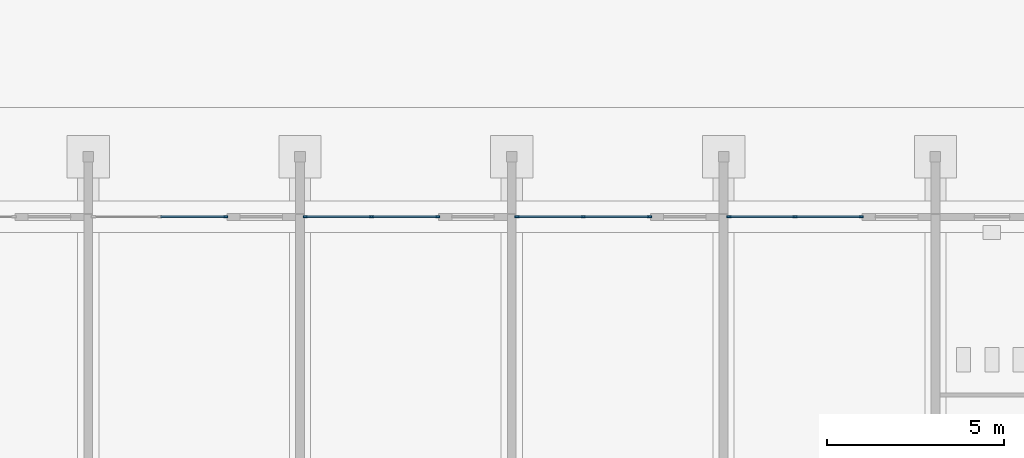
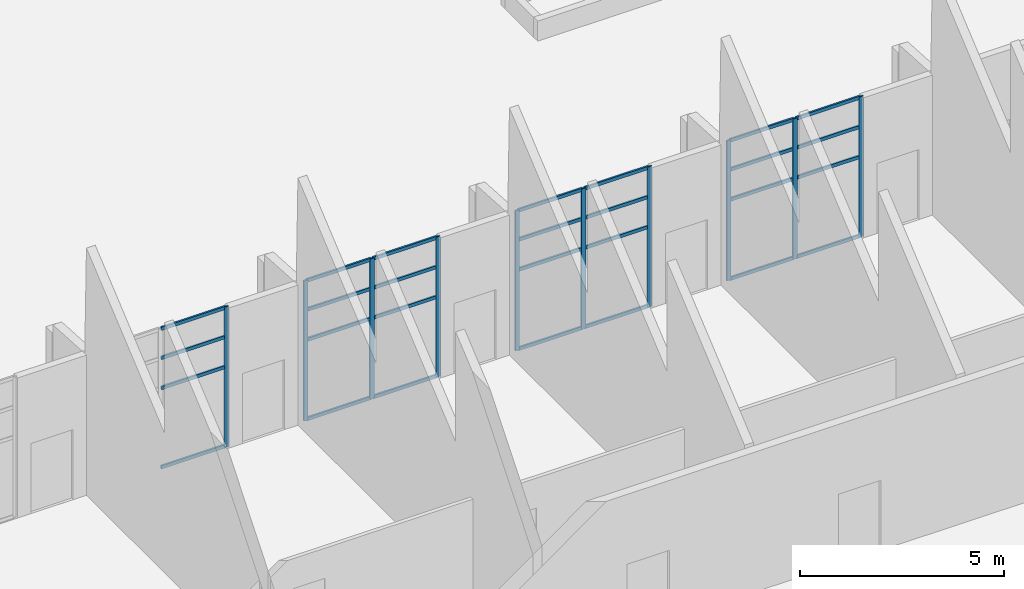
# One storey, part 24 of 112: 38 members, 4 elements without a shape of their own.
"""IFC4 building model written with IfcOpenShell, lengths in metres."""

from ifc_helpers import new_model, si_unit, direction, frame, origin, origin_2d, place, context, subcontext, project, spatial, rectangle, extrude, material, layer, layer_set, material_profile, profile_set, type_object, element, aggregate, save


model = new_model("IFC4")

# Units and contexts
model_context = context("Model", 3, precision=1e-05, world=origin(), true_north=direction((0.0, 1.0)))
body_context = subcontext(model_context, "Body", "Model", "MODEL_VIEW")
ifc_project = project(units=[si_unit("LENGTHUNIT", "METRE"), si_unit("AREAUNIT", "SQUARE_METRE"), si_unit("VOLUMEUNIT", "CUBIC_METRE"), si_unit("PLANEANGLEUNIT", "RADIAN"), si_unit("MASSUNIT", "GRAM", prefix="KILO")], contexts=[model_context])

# Site, building, storey
site_placement = place(None, origin())
site = spatial("IfcSite", under=ifc_project, at=site_placement, CompositionType="ELEMENT")
building_placement = place(site_placement, origin())
building = spatial("IfcBuilding", under=site, at=building_placement, Name="Ridgestep Commons", CompositionType="ELEMENT")
storey_placement = place(building_placement, origin())
storey = spatial("IfcBuildingStorey", under=building, at=storey_placement, Name="L00", CompositionType="ELEMENT", Elevation=0.0)

# Curtain wall, member
ifc_material_1 = material(Name="Aluminium and glass", Category="aluminium")
ifc_layer = layer(ifc_material_1, 0.14990234375)
ifc_layer_set = layer_set([ifc_layer], Name="Shopfront curtain wall")
curtain_wall_type = type_object("IfcCurtainWallType", Name="Shopfront curtain wall", PredefinedType="NOTDEFINED", material=ifc_layer_set)
curtain_wall_1_placement = place(storey_placement, origin())
curtain_wall_1 = element("IfcCurtainWall", 1, at=curtain_wall_1_placement, inside=storey, type_object=curtain_wall_type, Name="Shopfront curtain wall", PredefinedType="NOTDEFINED")
ifc_material_2 = material(Name="Aluminium", Category="aluminium")
ifc_material_profile_1 = material_profile(ifc_material_2, rectangle(XDim=0.050048828125, YDim=0.1201171875, at=origin_2d()), Name="Shopfront mullion 50 x 120")
ifc_profile_set_1 = profile_set([ifc_material_profile_1], Name="Aluminium")
member_type_1 = type_object("IfcMemberType", Name="Shopfront mullion 50 x 120", PredefinedType="MULLION", material=ifc_profile_set_1)
member_1_placement = place(storey_placement, frame((203.699951171875, 45.89990234375, 0.0), z_axis=(0.0, 0.0, 1.0), x_axis=(0.0, 1.0, 0.0)))
member_1 = element("IfcMember", 2, at=member_1_placement, type_object=member_type_1, Name="CW3 mullion 3", PredefinedType="MULLION", context=body_context, shape_type="SweptSolid", body=[
    extrude(rectangle(XDim=0.050048828125, YDim=0.1201171875, at=origin_2d()), origin(), (0.0, 0.0, 1.0), 4.199951171875),
])

# Curtain wall, members
curtain_wall_2_placement = place(storey_placement, origin())
curtain_wall_2 = element("IfcCurtainWall", 3, at=curtain_wall_2_placement, inside=storey, type_object=curtain_wall_type, Name="Shopfront curtain wall", PredefinedType="NOTDEFINED")
member_2_placement = place(storey_placement, frame((205.949951171875, 45.89990234375, 0.0), z_axis=(0.0, 0.0, 1.0), x_axis=(0.0, 1.0, 0.0)))
member_2 = element("IfcMember", 4, at=member_2_placement, type_object=member_type_1, Name="CW3 mullion 1", PredefinedType="MULLION", context=body_context, shape_type="SweptSolid", body=[
    extrude(rectangle(XDim=0.050048828125, YDim=0.1201171875, at=origin_2d()), origin(), (0.0, 0.0, 1.0), 4.199951171875),
])
member_3_placement = place(storey_placement, frame((207.824951171875, 45.89990234375, 0.0), z_axis=(0.0, 0.0, 1.0), x_axis=(0.0, 1.0, 0.0)))
member_3 = element("IfcMember", 5, at=member_3_placement, type_object=member_type_1, Name="CW3 mullion 2", PredefinedType="MULLION", context=body_context, shape_type="SweptSolid", body=[
    extrude(rectangle(XDim=0.050048828125, YDim=0.1201171875, at=origin_2d()), origin(), (0.0, 0.0, 1.0), 4.199951171875),
])
member_4_placement = place(storey_placement, frame((209.699951171875, 45.89990234375, 0.0), z_axis=(0.0, 0.0, 1.0), x_axis=(0.0, 1.0, 0.0)))
member_4 = element("IfcMember", 6, at=member_4_placement, type_object=member_type_1, Name="CW3 mullion 3", PredefinedType="MULLION", context=body_context, shape_type="SweptSolid", body=[
    extrude(rectangle(XDim=0.050048828125, YDim=0.1201171875, at=origin_2d()), origin(), (0.0, 0.0, 1.0), 4.199951171875),
])

curtain_wall_3_placement = place(storey_placement, origin())
curtain_wall_3 = element("IfcCurtainWall", 7, at=curtain_wall_3_placement, inside=storey, type_object=curtain_wall_type, Name="Shopfront curtain wall", PredefinedType="NOTDEFINED")
member_5_placement = place(storey_placement, frame((211.949951171875, 45.89990234375, 0.0), z_axis=(0.0, 0.0, 1.0), x_axis=(0.0, 1.0, 0.0)))
member_5 = element("IfcMember", 8, at=member_5_placement, type_object=member_type_1, Name="CW3 mullion 1", PredefinedType="MULLION", context=body_context, shape_type="SweptSolid", body=[
    extrude(rectangle(XDim=0.050048828125, YDim=0.1201171875, at=origin_2d()), origin(), (0.0, 0.0, 1.0), 4.199951171875),
])
member_6_placement = place(storey_placement, frame((213.824951171875, 45.89990234375, 0.0), z_axis=(0.0, 0.0, 1.0), x_axis=(0.0, 1.0, 0.0)))
member_6 = element("IfcMember", 9, at=member_6_placement, type_object=member_type_1, Name="CW3 mullion 2", PredefinedType="MULLION", context=body_context, shape_type="SweptSolid", body=[
    extrude(rectangle(XDim=0.050048828125, YDim=0.1201171875, at=origin_2d()), origin(), (0.0, 0.0, 1.0), 4.199951171875),
])
member_7_placement = place(storey_placement, frame((215.699951171875, 45.89990234375, 0.0), z_axis=(0.0, 0.0, 1.0), x_axis=(0.0, 1.0, 0.0)))
member_7 = element("IfcMember", 10, at=member_7_placement, type_object=member_type_1, Name="CW3 mullion 3", PredefinedType="MULLION", context=body_context, shape_type="SweptSolid", body=[
    extrude(rectangle(XDim=0.050048828125, YDim=0.1201171875, at=origin_2d()), origin(), (0.0, 0.0, 1.0), 4.199951171875),
])

curtain_wall_4_placement = place(storey_placement, origin())
curtain_wall_4 = element("IfcCurtainWall", 11, at=curtain_wall_4_placement, inside=storey, type_object=curtain_wall_type, Name="Shopfront curtain wall", PredefinedType="NOTDEFINED")
member_8_placement = place(storey_placement, frame((217.949951171875, 45.89990234375, 0.0), z_axis=(0.0, 0.0, 1.0), x_axis=(0.0, 1.0, 0.0)))
member_8 = element("IfcMember", 12, at=member_8_placement, type_object=member_type_1, Name="CW3 mullion 1", PredefinedType="MULLION", context=body_context, shape_type="SweptSolid", body=[
    extrude(rectangle(XDim=0.050048828125, YDim=0.1201171875, at=origin_2d()), origin(), (0.0, 0.0, 1.0), 4.199951171875),
])
member_9_placement = place(storey_placement, frame((219.824951171875, 45.89990234375, 0.0), z_axis=(0.0, 0.0, 1.0), x_axis=(0.0, 1.0, 0.0)))
member_9 = element("IfcMember", 13, at=member_9_placement, type_object=member_type_1, Name="CW3 mullion 2", PredefinedType="MULLION", context=body_context, shape_type="SweptSolid", body=[
    extrude(rectangle(XDim=0.050048828125, YDim=0.1201171875, at=origin_2d()), origin(), (0.0, 0.0, 1.0), 4.199951171875),
])
member_10_placement = place(storey_placement, frame((221.699951171875, 45.89990234375, 0.0), z_axis=(0.0, 0.0, 1.0), x_axis=(0.0, 1.0, 0.0)))
member_10 = element("IfcMember", 14, at=member_10_placement, type_object=member_type_1, Name="CW3 mullion 3", PredefinedType="MULLION", context=body_context, shape_type="SweptSolid", body=[
    extrude(rectangle(XDim=0.050048828125, YDim=0.1201171875, at=origin_2d()), origin(), (0.0, 0.0, 1.0), 4.199951171875),
])

# Member
ifc_material_3 = material(Name="Aluminium", Category="aluminium")
ifc_material_profile_2 = material_profile(ifc_material_3, rectangle(XDim=0.050048828125, YDim=0.10009765625, at=origin_2d()), Name="Shopfront transom 50 x 100")
ifc_profile_set_2 = profile_set([ifc_material_profile_2], Name="Aluminium")
member_type_2 = type_object("IfcMemberType", Name="Shopfront transom 50 x 100", PredefinedType="USERDEFINED", material=ifc_profile_set_2)
member_11_placement = place(storey_placement, frame((201.85009765625, 45.89990234375, 0.02490234375), z_axis=(1.0, 0.0, 0.0), x_axis=(0.0, 1.0, 0.0)))
member_11 = element("IfcMember", 15, at=member_11_placement, type_object=member_type_2, Name="CW3 transom 2.1", ObjectType="TRANSOM", PredefinedType="USERDEFINED", context=body_context, shape_type="SweptSolid", body=[
    extrude(rectangle(XDim=0.050048828125, YDim=0.10009765625, at=origin_2d()), origin(), (0.0, 0.0, 1.0), 1.824951171875),
])

member_12_placement = place(storey_placement, frame((201.85009765625, 45.89990234375, 2.39990234375), z_axis=(1.0, 0.0, 0.0), x_axis=(0.0, 1.0, 0.0)))
member_12 = element("IfcMember", 16, at=member_12_placement, type_object=member_type_2, Name="CW3 transom 2.2", ObjectType="TRANSOM", PredefinedType="USERDEFINED", context=body_context, shape_type="SweptSolid", body=[
    extrude(rectangle(XDim=0.050048828125, YDim=0.10009765625, at=origin_2d()), origin(), (0.0, 0.0, 1.0), 1.824951171875),
])

member_13_placement = place(storey_placement, frame((201.85009765625, 45.89990234375, 3.300048828125), z_axis=(1.0, 0.0, 0.0), x_axis=(0.0, 1.0, 0.0)))
member_13 = element("IfcMember", 17, at=member_13_placement, type_object=member_type_2, Name="CW3 transom 2.3", ObjectType="TRANSOM", PredefinedType="USERDEFINED", context=body_context, shape_type="SweptSolid", body=[
    extrude(rectangle(XDim=0.050048828125, YDim=0.10009765625, at=origin_2d()), origin(), (0.0, 0.0, 1.0), 1.824951171875),
])

member_14_placement = place(storey_placement, frame((201.85009765625, 45.89990234375, 4.175048828125), z_axis=(1.0, 0.0, 0.0), x_axis=(0.0, 1.0, 0.0)))
member_14 = element("IfcMember", 18, at=member_14_placement, type_object=member_type_2, Name="CW3 transom 2.4", ObjectType="TRANSOM", PredefinedType="USERDEFINED", context=body_context, shape_type="SweptSolid", body=[
    extrude(rectangle(XDim=0.050048828125, YDim=0.10009765625, at=origin_2d()), origin(), (0.0, 0.0, 1.0), 1.824951171875),
])

aggregate(curtain_wall_1, [member_1, member_11, member_12, member_13, member_14])

member_15_placement = place(storey_placement, frame((205.97509765625, 45.89990234375, 0.02490234375), z_axis=(1.0, 0.0, 0.0), x_axis=(0.0, 1.0, 0.0)))
member_15 = element("IfcMember", 19, at=member_15_placement, type_object=member_type_2, Name="CW3 transom 1.1", ObjectType="TRANSOM", PredefinedType="USERDEFINED", context=body_context, shape_type="SweptSolid", body=[
    extrude(rectangle(XDim=0.050048828125, YDim=0.10009765625, at=origin_2d()), origin(), (0.0, 0.0, 1.0), 1.824951171875),
])

member_16_placement = place(storey_placement, frame((205.97509765625, 45.89990234375, 2.39990234375), z_axis=(1.0, 0.0, 0.0), x_axis=(0.0, 1.0, 0.0)))
member_16 = element("IfcMember", 20, at=member_16_placement, type_object=member_type_2, Name="CW3 transom 1.2", ObjectType="TRANSOM", PredefinedType="USERDEFINED", context=body_context, shape_type="SweptSolid", body=[
    extrude(rectangle(XDim=0.050048828125, YDim=0.10009765625, at=origin_2d()), origin(), (0.0, 0.0, 1.0), 1.824951171875),
])

member_17_placement = place(storey_placement, frame((205.97509765625, 45.89990234375, 3.300048828125), z_axis=(1.0, 0.0, 0.0), x_axis=(0.0, 1.0, 0.0)))
member_17 = element("IfcMember", 21, at=member_17_placement, type_object=member_type_2, Name="CW3 transom 1.3", ObjectType="TRANSOM", PredefinedType="USERDEFINED", context=body_context, shape_type="SweptSolid", body=[
    extrude(rectangle(XDim=0.050048828125, YDim=0.10009765625, at=origin_2d()), origin(), (0.0, 0.0, 1.0), 1.824951171875),
])

member_18_placement = place(storey_placement, frame((205.97509765625, 45.89990234375, 4.175048828125), z_axis=(1.0, 0.0, 0.0), x_axis=(0.0, 1.0, 0.0)))
member_18 = element("IfcMember", 22, at=member_18_placement, type_object=member_type_2, Name="CW3 transom 1.4", ObjectType="TRANSOM", PredefinedType="USERDEFINED", context=body_context, shape_type="SweptSolid", body=[
    extrude(rectangle(XDim=0.050048828125, YDim=0.10009765625, at=origin_2d()), origin(), (0.0, 0.0, 1.0), 1.824951171875),
])

member_19_placement = place(storey_placement, frame((207.85009765625, 45.89990234375, 0.02490234375), z_axis=(1.0, 0.0, 0.0), x_axis=(0.0, 1.0, 0.0)))
member_19 = element("IfcMember", 23, at=member_19_placement, type_object=member_type_2, Name="CW3 transom 2.1", ObjectType="TRANSOM", PredefinedType="USERDEFINED", context=body_context, shape_type="SweptSolid", body=[
    extrude(rectangle(XDim=0.050048828125, YDim=0.10009765625, at=origin_2d()), origin(), (0.0, 0.0, 1.0), 1.824951171875),
])

member_20_placement = place(storey_placement, frame((207.85009765625, 45.89990234375, 2.39990234375), z_axis=(1.0, 0.0, 0.0), x_axis=(0.0, 1.0, 0.0)))
member_20 = element("IfcMember", 24, at=member_20_placement, type_object=member_type_2, Name="CW3 transom 2.2", ObjectType="TRANSOM", PredefinedType="USERDEFINED", context=body_context, shape_type="SweptSolid", body=[
    extrude(rectangle(XDim=0.050048828125, YDim=0.10009765625, at=origin_2d()), origin(), (0.0, 0.0, 1.0), 1.824951171875),
])

member_21_placement = place(storey_placement, frame((207.85009765625, 45.89990234375, 3.300048828125), z_axis=(1.0, 0.0, 0.0), x_axis=(0.0, 1.0, 0.0)))
member_21 = element("IfcMember", 25, at=member_21_placement, type_object=member_type_2, Name="CW3 transom 2.3", ObjectType="TRANSOM", PredefinedType="USERDEFINED", context=body_context, shape_type="SweptSolid", body=[
    extrude(rectangle(XDim=0.050048828125, YDim=0.10009765625, at=origin_2d()), origin(), (0.0, 0.0, 1.0), 1.824951171875),
])

member_22_placement = place(storey_placement, frame((207.85009765625, 45.89990234375, 4.175048828125), z_axis=(1.0, 0.0, 0.0), x_axis=(0.0, 1.0, 0.0)))
member_22 = element("IfcMember", 26, at=member_22_placement, type_object=member_type_2, Name="CW3 transom 2.4", ObjectType="TRANSOM", PredefinedType="USERDEFINED", context=body_context, shape_type="SweptSolid", body=[
    extrude(rectangle(XDim=0.050048828125, YDim=0.10009765625, at=origin_2d()), origin(), (0.0, 0.0, 1.0), 1.824951171875),
])

aggregate(curtain_wall_2, [member_2, member_3, member_4, member_15, member_16, member_17, member_18, member_19, member_20, member_21, member_22])

member_23_placement = place(storey_placement, frame((211.97509765625, 45.89990234375, 0.02490234375), z_axis=(1.0, 0.0, 0.0), x_axis=(0.0, 1.0, 0.0)))
member_23 = element("IfcMember", 27, at=member_23_placement, type_object=member_type_2, Name="CW3 transom 1.1", ObjectType="TRANSOM", PredefinedType="USERDEFINED", context=body_context, shape_type="SweptSolid", body=[
    extrude(rectangle(XDim=0.050048828125, YDim=0.10009765625, at=origin_2d()), origin(), (0.0, 0.0, 1.0), 1.824951171875),
])

member_24_placement = place(storey_placement, frame((211.97509765625, 45.89990234375, 2.39990234375), z_axis=(1.0, 0.0, 0.0), x_axis=(0.0, 1.0, 0.0)))
member_24 = element("IfcMember", 28, at=member_24_placement, type_object=member_type_2, Name="CW3 transom 1.2", ObjectType="TRANSOM", PredefinedType="USERDEFINED", context=body_context, shape_type="SweptSolid", body=[
    extrude(rectangle(XDim=0.050048828125, YDim=0.10009765625, at=origin_2d()), origin(), (0.0, 0.0, 1.0), 1.824951171875),
])

member_25_placement = place(storey_placement, frame((211.97509765625, 45.89990234375, 3.300048828125), z_axis=(1.0, 0.0, 0.0), x_axis=(0.0, 1.0, 0.0)))
member_25 = element("IfcMember", 29, at=member_25_placement, type_object=member_type_2, Name="CW3 transom 1.3", ObjectType="TRANSOM", PredefinedType="USERDEFINED", context=body_context, shape_type="SweptSolid", body=[
    extrude(rectangle(XDim=0.050048828125, YDim=0.10009765625, at=origin_2d()), origin(), (0.0, 0.0, 1.0), 1.824951171875),
])

member_26_placement = place(storey_placement, frame((211.97509765625, 45.89990234375, 4.175048828125), z_axis=(1.0, 0.0, 0.0), x_axis=(0.0, 1.0, 0.0)))
member_26 = element("IfcMember", 30, at=member_26_placement, type_object=member_type_2, Name="CW3 transom 1.4", ObjectType="TRANSOM", PredefinedType="USERDEFINED", context=body_context, shape_type="SweptSolid", body=[
    extrude(rectangle(XDim=0.050048828125, YDim=0.10009765625, at=origin_2d()), origin(), (0.0, 0.0, 1.0), 1.824951171875),
])

member_27_placement = place(storey_placement, frame((213.85009765625, 45.89990234375, 0.02490234375), z_axis=(1.0, 0.0, 0.0), x_axis=(0.0, 1.0, 0.0)))
member_27 = element("IfcMember", 31, at=member_27_placement, type_object=member_type_2, Name="CW3 transom 2.1", ObjectType="TRANSOM", PredefinedType="USERDEFINED", context=body_context, shape_type="SweptSolid", body=[
    extrude(rectangle(XDim=0.050048828125, YDim=0.10009765625, at=origin_2d()), origin(), (0.0, 0.0, 1.0), 1.824951171875),
])

member_28_placement = place(storey_placement, frame((213.85009765625, 45.89990234375, 2.39990234375), z_axis=(1.0, 0.0, 0.0), x_axis=(0.0, 1.0, 0.0)))
member_28 = element("IfcMember", 32, at=member_28_placement, type_object=member_type_2, Name="CW3 transom 2.2", ObjectType="TRANSOM", PredefinedType="USERDEFINED", context=body_context, shape_type="SweptSolid", body=[
    extrude(rectangle(XDim=0.050048828125, YDim=0.10009765625, at=origin_2d()), origin(), (0.0, 0.0, 1.0), 1.824951171875),
])

member_29_placement = place(storey_placement, frame((213.85009765625, 45.89990234375, 3.300048828125), z_axis=(1.0, 0.0, 0.0), x_axis=(0.0, 1.0, 0.0)))
member_29 = element("IfcMember", 33, at=member_29_placement, type_object=member_type_2, Name="CW3 transom 2.3", ObjectType="TRANSOM", PredefinedType="USERDEFINED", context=body_context, shape_type="SweptSolid", body=[
    extrude(rectangle(XDim=0.050048828125, YDim=0.10009765625, at=origin_2d()), origin(), (0.0, 0.0, 1.0), 1.824951171875),
])

member_30_placement = place(storey_placement, frame((213.85009765625, 45.89990234375, 4.175048828125), z_axis=(1.0, 0.0, 0.0), x_axis=(0.0, 1.0, 0.0)))
member_30 = element("IfcMember", 34, at=member_30_placement, type_object=member_type_2, Name="CW3 transom 2.4", ObjectType="TRANSOM", PredefinedType="USERDEFINED", context=body_context, shape_type="SweptSolid", body=[
    extrude(rectangle(XDim=0.050048828125, YDim=0.10009765625, at=origin_2d()), origin(), (0.0, 0.0, 1.0), 1.824951171875),
])

aggregate(curtain_wall_3, [member_5, member_6, member_7, member_23, member_24, member_25, member_26, member_27, member_28, member_29, member_30])

member_31_placement = place(storey_placement, frame((217.97509765625, 45.89990234375, 0.02490234375), z_axis=(1.0, 0.0, 0.0), x_axis=(0.0, 1.0, 0.0)))
member_31 = element("IfcMember", 35, at=member_31_placement, type_object=member_type_2, Name="CW3 transom 1.1", ObjectType="TRANSOM", PredefinedType="USERDEFINED", context=body_context, shape_type="SweptSolid", body=[
    extrude(rectangle(XDim=0.050048828125, YDim=0.10009765625, at=origin_2d()), origin(), (0.0, 0.0, 1.0), 1.824951171875),
])

member_32_placement = place(storey_placement, frame((217.97509765625, 45.89990234375, 2.39990234375), z_axis=(1.0, 0.0, 0.0), x_axis=(0.0, 1.0, 0.0)))
member_32 = element("IfcMember", 36, at=member_32_placement, type_object=member_type_2, Name="CW3 transom 1.2", ObjectType="TRANSOM", PredefinedType="USERDEFINED", context=body_context, shape_type="SweptSolid", body=[
    extrude(rectangle(XDim=0.050048828125, YDim=0.10009765625, at=origin_2d()), origin(), (0.0, 0.0, 1.0), 1.824951171875),
])

member_33_placement = place(storey_placement, frame((217.97509765625, 45.89990234375, 3.300048828125), z_axis=(1.0, 0.0, 0.0), x_axis=(0.0, 1.0, 0.0)))
member_33 = element("IfcMember", 37, at=member_33_placement, type_object=member_type_2, Name="CW3 transom 1.3", ObjectType="TRANSOM", PredefinedType="USERDEFINED", context=body_context, shape_type="SweptSolid", body=[
    extrude(rectangle(XDim=0.050048828125, YDim=0.10009765625, at=origin_2d()), origin(), (0.0, 0.0, 1.0), 1.824951171875),
])

member_34_placement = place(storey_placement, frame((217.97509765625, 45.89990234375, 4.175048828125), z_axis=(1.0, 0.0, 0.0), x_axis=(0.0, 1.0, 0.0)))
member_34 = element("IfcMember", 38, at=member_34_placement, type_object=member_type_2, Name="CW3 transom 1.4", ObjectType="TRANSOM", PredefinedType="USERDEFINED", context=body_context, shape_type="SweptSolid", body=[
    extrude(rectangle(XDim=0.050048828125, YDim=0.10009765625, at=origin_2d()), origin(), (0.0, 0.0, 1.0), 1.824951171875),
])

member_35_placement = place(storey_placement, frame((219.85009765625, 45.89990234375, 0.02490234375), z_axis=(1.0, 0.0, 0.0), x_axis=(0.0, 1.0, 0.0)))
member_35 = element("IfcMember", 39, at=member_35_placement, type_object=member_type_2, Name="CW3 transom 2.1", ObjectType="TRANSOM", PredefinedType="USERDEFINED", context=body_context, shape_type="SweptSolid", body=[
    extrude(rectangle(XDim=0.050048828125, YDim=0.10009765625, at=origin_2d()), origin(), (0.0, 0.0, 1.0), 1.824951171875),
])

member_36_placement = place(storey_placement, frame((219.85009765625, 45.89990234375, 2.39990234375), z_axis=(1.0, 0.0, 0.0), x_axis=(0.0, 1.0, 0.0)))
member_36 = element("IfcMember", 40, at=member_36_placement, type_object=member_type_2, Name="CW3 transom 2.2", ObjectType="TRANSOM", PredefinedType="USERDEFINED", context=body_context, shape_type="SweptSolid", body=[
    extrude(rectangle(XDim=0.050048828125, YDim=0.10009765625, at=origin_2d()), origin(), (0.0, 0.0, 1.0), 1.824951171875),
])

member_37_placement = place(storey_placement, frame((219.85009765625, 45.89990234375, 3.300048828125), z_axis=(1.0, 0.0, 0.0), x_axis=(0.0, 1.0, 0.0)))
member_37 = element("IfcMember", 41, at=member_37_placement, type_object=member_type_2, Name="CW3 transom 2.3", ObjectType="TRANSOM", PredefinedType="USERDEFINED", context=body_context, shape_type="SweptSolid", body=[
    extrude(rectangle(XDim=0.050048828125, YDim=0.10009765625, at=origin_2d()), origin(), (0.0, 0.0, 1.0), 1.824951171875),
])

member_38_placement = place(storey_placement, frame((219.85009765625, 45.89990234375, 4.175048828125), z_axis=(1.0, 0.0, 0.0), x_axis=(0.0, 1.0, 0.0)))
member_38 = element("IfcMember", 42, at=member_38_placement, type_object=member_type_2, Name="CW3 transom 2.4", ObjectType="TRANSOM", PredefinedType="USERDEFINED", context=body_context, shape_type="SweptSolid", body=[
    extrude(rectangle(XDim=0.050048828125, YDim=0.10009765625, at=origin_2d()), origin(), (0.0, 0.0, 1.0), 1.824951171875),
])

aggregate(curtain_wall_4, [member_8, member_9, member_10, member_31, member_32, member_33, member_34, member_35, member_36, member_37, member_38])

save(model, "model.ifc")
